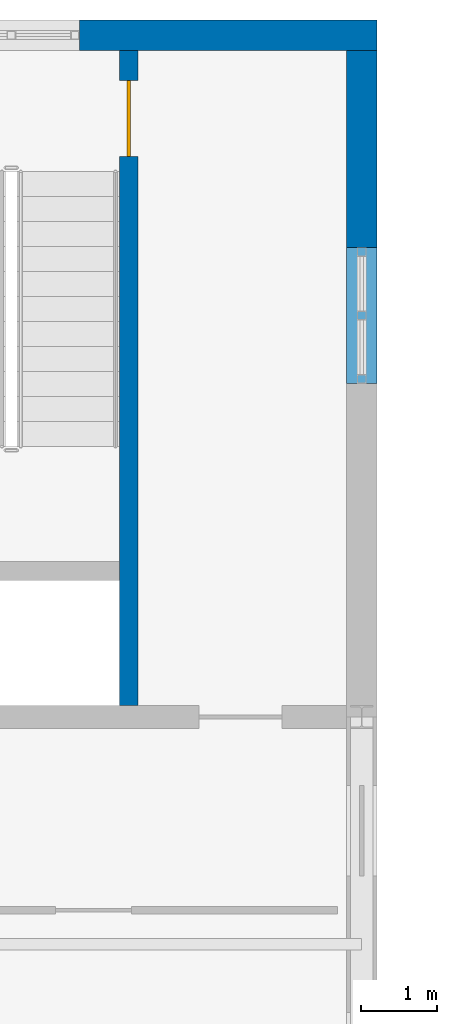
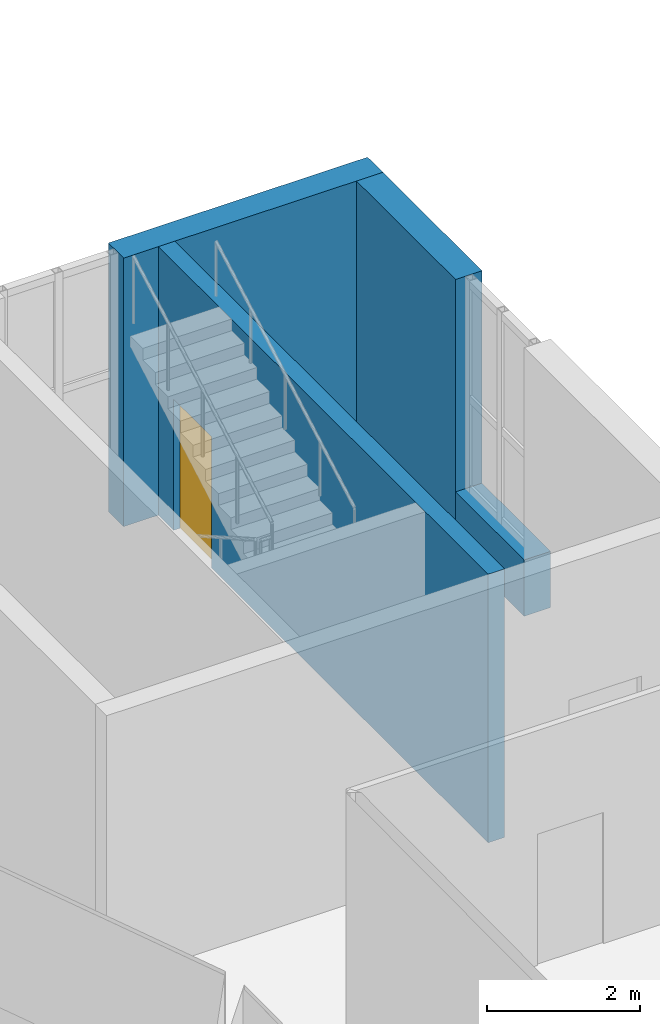
# One storey, part 89 of 131: 4 walls, 1 door, 1 opening.
"""IFC4 building model written with IfcOpenShell, lengths in metres."""

import ifcopenshell
import ifcopenshell.guid

model = None  # the IFC model being written
_history = None  # IfcOwnerHistory: only IFC2X3 demands one
_inside = {}  # id of a spatial element -> (the spatial element, [elements in it])
_under = {}  # id of a project, library or spatial element -> (it, [spatial elements below it])
_declared = {}  # id of a project -> (the project, [libraries it declares])
_typed = {}  # id of a type object -> (the type object, [elements of that type])
_made_of = {}  # id of a material, layer set ... -> (it, [elements and type objects made of it])


def new_model(schema):
    """Start an empty IFC model of exactly this schema.

    Asked for "IFC4X3", IfcOpenShell would pick the latest addendum, in which some entities
    have other attributes; the version numbers below select the first issue.
    IFC2X3 requires an IfcOwnerHistory on every rooted entity: one is made here for all.
    """
    global model, _history
    if schema == "IFC4X3":
        model = ifcopenshell.file(schema_version=(4, 3, 0, 0))
    else:
        model = ifcopenshell.file(schema=schema)
    _inside.clear()
    _under.clear()
    _declared.clear()
    _typed.clear()
    _made_of.clear()
    _history = None
    if model.schema == "IFC2X3":
        org = make("IfcOrganization", Name="unknown")
        user = make(
            "IfcPersonAndOrganization",
            ThePerson=make("IfcPerson", FamilyName="unknown"),
            TheOrganization=org,
        )
        app = make(
            "IfcApplication",
            ApplicationDeveloper=org,
            Version="unknown",
            ApplicationFullName="unknown",
            ApplicationIdentifier="unknown",
        )
        _history = make(
            "IfcOwnerHistory",
            OwningUser=user,
            OwningApplication=app,
            ChangeAction="ADDED",
            CreationDate=0,
        )
    return model


def make(cls, **values):
    """One entity of the class cls with the attributes given. An attribute that is None is left unset."""
    return model.create_entity(
        cls, **{name: value for name, value in values.items() if value is not None}
    )


def rooted(cls, **values):
    """An entity with a GlobalId (a new one), such as an element, a storey or a relation."""
    return make(cls, GlobalId=ifcopenshell.guid.new(), OwnerHistory=_history, **values)


def si_unit(unit_type, name, prefix=None):
    """IfcSIUnit, for example si_unit("LENGTHUNIT", "METRE", prefix="MILLI")."""
    return make("IfcSIUnit", UnitType=unit_type, Prefix=prefix, Name=name)


def assignment(units):
    """IfcUnitAssignment: the units of a project."""
    return None if units is None else make("IfcUnitAssignment", Units=units)


def point(xyz):
    """IfcCartesianPoint."""
    return None if xyz is None else make("IfcCartesianPoint", Coordinates=xyz)


def direction(xyz):
    """IfcDirection."""
    return None if xyz is None else make("IfcDirection", DirectionRatios=xyz)


def frame(location, z_axis=None, x_axis=None):
    """IfcAxis2Placement3D, a coordinate frame: its origin and axes. An axis left out is left unset."""
    return make(
        "IfcAxis2Placement3D",
        Location=point(location),
        Axis=direction(z_axis),
        RefDirection=direction(x_axis),
    )


def frame_2d(location, x_axis=None):
    """IfcAxis2Placement2D, a coordinate frame in the plane: its origin and x axis."""
    return make(
        "IfcAxis2Placement2D", Location=point(location), RefDirection=direction(x_axis)
    )


def origin():
    """The frame at (0, 0, 0) with its axes left unset."""
    return frame((0.0, 0.0, 0.0))


def place(relative_to, where):
    """IfcLocalPlacement: puts the frame where relative to a parent placement (None: the world)."""
    return make(
        "IfcLocalPlacement", PlacementRelTo=relative_to, RelativePlacement=where
    )


def context(
    kind, dimensions, precision=None, world=None, true_north=None, identifier=None
):
    """IfcGeometricRepresentationContext, for example the 3D "Model" context."""
    return make(
        "IfcGeometricRepresentationContext",
        ContextIdentifier=identifier,
        ContextType=kind,
        CoordinateSpaceDimension=dimensions,
        Precision=precision,
        WorldCoordinateSystem=world,
        TrueNorth=true_north,
    )


def subcontext(parent, identifier, kind, view, scale=None):
    """IfcGeometricRepresentationSubContext, for example "Body" below "Model"."""
    return make(
        "IfcGeometricRepresentationSubContext",
        ContextIdentifier=identifier,
        ContextType=kind,
        ParentContext=parent,
        TargetScale=scale,
        TargetView=view,
    )


def project(units=None, contexts=None):
    """IfcProject with its units and contexts."""
    return rooted(
        "IfcProject",
        Name="project",
        RepresentationContexts=contexts,
        UnitsInContext=assignment(units),
    )


def spatial(cls, under=None, at=None, **own):
    """A site, building, storey or space (cls), placed at a placement, below another one or the project."""
    s = rooted(cls, ObjectPlacement=at, **own)
    if under is not None:
        _under.setdefault(under.id(), (under, []))[1].append(s)
    return s


def profile(cls, at=None, kind="AREA", **sizes):
    """A parametric profile (cls). Its sizes go by their IFC names, for example OverallWidth=200.0."""
    return make(cls, ProfileType=kind, Position=at, **sizes)


def rectangle(**sizes):
    """IfcRectangleProfileDef."""
    return profile("IfcRectangleProfileDef", **sizes)


def extrude(swept, where, along, depth):
    """IfcExtrudedAreaSolid: the profile swept, set in the frame where, extruded along a direction by depth."""
    return make(
        "IfcExtrudedAreaSolid",
        SweptArea=swept,
        Position=where,
        ExtrudedDirection=direction(along),
        Depth=depth,
    )


def shape(context_of_items, identifier, shape_type, items):
    """IfcShapeRepresentation: the items that make up one representation, for example the "Body"."""
    return make(
        "IfcShapeRepresentation",
        ContextOfItems=context_of_items,
        RepresentationIdentifier=identifier,
        RepresentationType=shape_type,
        Items=items,
    )


def material(Name=None, Category=None):
    """IfcMaterial."""
    return make("IfcMaterial", Name=Name, Category=Category)


def layer(
    of_material, thickness, ventilated=None, Name=None, Category=None, Priority=None
):
    """IfcMaterialLayer: one layer of a wall or slab, of a material (None: an air gap)."""
    return make(
        "IfcMaterialLayer",
        Material=of_material,
        LayerThickness=thickness,
        IsVentilated=ventilated,
        Name=Name,
        Category=Category,
        Priority=Priority,
    )


def layer_set(layers, Name=None):
    """IfcMaterialLayerSet."""
    return make("IfcMaterialLayerSet", MaterialLayers=layers, LayerSetName=Name)


def made_of(thing, what):
    """Note that an element or type object is made of a material, layer set ...; save() writes the relation."""
    if what is not None:
        _made_of.setdefault(what.id(), (what, []))[1].append(thing)
    return thing


def type_object(cls, material=None, **own):
    """A type object (cls), such as IfcWallType, which elements share."""
    return made_of(rooted(cls, **own), material)


def element(
    cls,
    number,
    at=None,
    inside=None,
    cuts=None,
    type_object=None,
    material=None,
    context=None,
    identifier="Body",
    shape_type=None,
    held_by="IfcProductDefinitionShape",
    body=None,
    shapes=None,
    **own,
):
    """One element of the class cls, such as IfcWall. Its Tag is "e" and its number.

    at: its placement. inside: the storey or other place that contains it. cuts: it is an
    opening in that element (IfcRelVoidsElement). A single representation is given by context,
    identifier, shape_type and body (its items); several are given by shapes. held_by: the class
    of the entity that holds the representations. save() writes the other relations.
    """
    e = rooted(cls, Tag="e%d" % number, ObjectPlacement=at, **own)
    if body is not None:
        shapes = [shape(context, identifier, shape_type, body)]
    if shapes is not None:
        e.Representation = make(held_by, Representations=shapes)
    if inside is not None:
        _inside.setdefault(inside.id(), (inside, []))[1].append(e)
    if cuts is not None:
        rooted(
            "IfcRelVoidsElement", RelatingBuildingElement=cuts, RelatedOpeningElement=e
        )
    if type_object is not None:
        _typed.setdefault(type_object.id(), (type_object, []))[1].append(e)
    return made_of(e, material)


def fill(opening, filler):
    """IfcRelFillsElement: the door or window that sits in an opening."""
    return rooted(
        "IfcRelFillsElement",
        RelatingOpeningElement=opening,
        RelatedBuildingElement=filler,
    )


def aggregate(whole, parts):
    """IfcRelAggregates: a whole, such as a stair, and the parts it consists of."""
    return rooted("IfcRelAggregates", RelatingObject=whole, RelatedObjects=parts)


def save(model, path):
    """Write the relations noted so far, then the file.

    IfcRelAggregates (storeys below a building ...), IfcRelContainedInSpatialStructure (elements
    in a storey), IfcRelDefinesByType, IfcRelAssociatesMaterial and IfcRelDeclares: one each for
    every whole, place, type object, material and project.
    """
    for whole, parts in _under.values():
        aggregate(whole, parts)
    for where, things in _inside.values():
        rooted(
            "IfcRelContainedInSpatialStructure",
            RelatedElements=things,
            RelatingStructure=where,
        )
    for kind, things in _typed.values():
        rooted("IfcRelDefinesByType", RelatedObjects=things, RelatingType=kind)
    for what, things in _made_of.values():
        rooted("IfcRelAssociatesMaterial", RelatedObjects=things, RelatingMaterial=what)
    for by, libraries in _declared.values():
        rooted("IfcRelDeclares", RelatingContext=by, RelatedDefinitions=libraries)
    model.write(path)


model = new_model("IFC4")

# Units and contexts
model_context = context("Model", 3, precision=1e-05, world=origin(), true_north=direction((0.0, 1.0)))
body_context = subcontext(model_context, "Body", "Model", "MODEL_VIEW")
ifc_project = project(units=[si_unit("LENGTHUNIT", "METRE"), si_unit("AREAUNIT", "SQUARE_METRE"), si_unit("VOLUMEUNIT", "CUBIC_METRE"), si_unit("PLANEANGLEUNIT", "RADIAN"), si_unit("MASSUNIT", "GRAM", prefix="KILO")], contexts=[model_context])

# Site, building, storey
site_placement = place(None, origin())
site = spatial("IfcSite", under=ifc_project, at=site_placement, CompositionType="ELEMENT")
building_placement = place(site_placement, origin())
building = spatial("IfcBuilding", under=site, at=building_placement, Name="Golden Quay Civic Hall", CompositionType="ELEMENT")
storey_placement = place(building_placement, frame((0.0, 0.0, 9.89990234375)))
storey = spatial("IfcBuildingStorey", under=building, at=storey_placement, Name="L02", CompositionType="ELEMENT", Elevation=9.89990234375)

# Wall, opening, door
ifc_material_1 = material(Name="Concrete C40/50", Category="concrete")
ifc_layer_1 = layer(ifc_material_1, 0.25)
ifc_layer_set_1 = layer_set([ifc_layer_1], Name="Reinforced concrete shaft wall 250, Concrete C40/50")
wall_type_1 = type_object("IfcWallType", Name="Reinforced concrete shaft wall 250", PredefinedType="SHEAR", material=ifc_layer_set_1)
wall_1_placement = place(storey_placement, frame((104.925048828125, 107.800048828125, 0.0), z_axis=(0.0, 0.0, 1.0), x_axis=(0.0, -1.0, 0.0)))
wall_1 = element("IfcWall", 1, at=wall_1_placement, inside=storey, type_object=wall_type_1, Name="Shaft wall NE 1", PredefinedType="SHEAR", context=body_context, shape_type="SweptSolid", body=[
    extrude(rectangle(XDim=8.650146484375, YDim=0.25, at=frame_2d((4.3251953125, 0.0))), origin(), (0.0, 0.0, 1.0), 4.300048828125),
])
opening_placement = place(wall_1_placement, frame((0.39990234375, 0.0, 0.0)))
opening = element("IfcOpeningElement", 2, at=opening_placement, cuts=wall_1, Name="Opening L02-D174", PredefinedType="OPENING", context=body_context, shape_type="SweptSolid", body=[
    extrude(rectangle(XDim=1.0, YDim=2.10009765625, at=frame_2d((0.5, 1.050048828125))), frame((0.0, 0.135009765625, 0.0), z_axis=(0.0, -1.0, 0.0), x_axis=(1.0, 0.0, 0.0)), (0.0, 0.0, 1.0), 0.27001953125),
])
ifc_material_2 = material(Name="Steel", Category="steel")
door_type = type_object("IfcDoorType", Name="Steel fire door FD60 1100 x 2100", OperationType="SINGLE_SWING_LEFT", PredefinedType="DOOR", material=ifc_material_2)
door_placement = place(opening_placement, frame((1.0, 0.0, 0.0), z_axis=(0.0, 0.0, 1.0), x_axis=(-1.0, 0.0, 0.0)))
door = element("IfcDoor", 3, at=door_placement, inside=storey, type_object=door_type, Name="Stair door NE", OperationType="SINGLE_SWING_RIGHT", OverallHeight=2.10009765625, OverallWidth=1.0, PredefinedType="DOOR", context=body_context, shape_type="SweptSolid", body=[
    extrude(rectangle(XDim=1.0, YDim=2.10009765625, at=frame_2d((0.5, 1.050048828125))), frame((0.0, 0.025146484375, 0.0), z_axis=(0.0, -1.0, 0.0), x_axis=(1.0, 0.0, 0.0)), (0.0, 0.0, 1.0), 0.050048828125),
])
fill(opening, door)

# Walls
ifc_material_3 = material(Name="Brick masonry with render", Category="masonry")
ifc_layer_2 = layer(ifc_material_3, 0.39990234375)
ifc_layer_set_2 = layer_set([ifc_layer_2], Name="Rendered brick external wall 400 fire EI 120")
wall_type_2 = type_object("IfcWallType", Name="Rendered brick external wall 400 fire EI 120", PredefinedType="STANDARD", material=ifc_layer_set_2)
wall_2_placement = place(storey_placement, frame((104.27490234375, 108.0, 0.0), z_axis=(0.0, 0.0, 1.0), x_axis=(1.0, 0.0, 0.0)))
element("IfcWall", 4, at=wall_2_placement, inside=storey, type_object=wall_type_2, Name="Base wall N 99 (beyond the bay)", PredefinedType="STANDARD", context=body_context, shape_type="SweptSolid", body=[
    extrude(rectangle(XDim=3.925048828125, YDim=0.39990234375, at=frame_2d((1.96240234375, 0.0))), origin(), (0.0, 0.0, 1.0), 4.300048828125),
])
wall_3_placement = place(storey_placement, frame((108.0, 105.199951171875, 0.0), z_axis=(0.0, 0.0, 1.0), x_axis=(0.0, 1.0, 0.0)))
element("IfcWall", 5, at=wall_3_placement, inside=storey, type_object=wall_type_2, Name="Base wall E 99 (beyond the bay)", PredefinedType="STANDARD", context=body_context, shape_type="SweptSolid", body=[
    extrude(rectangle(XDim=2.60009765625, YDim=0.39990234375, at=frame_2d((1.300048828125, 0.0))), origin(), (0.0, 0.0, 1.0), 4.300048828125),
])
wall_4_placement = place(storey_placement, frame((108.0, 103.39990234375, 0.0), z_axis=(0.0, 0.0, 1.0), x_axis=(0.0, 1.0, 0.0)))
element("IfcWall", 6, at=wall_4_placement, inside=storey, type_object=wall_type_2, Name="Base wall E 99 sill", PredefinedType="STANDARD", context=body_context, shape_type="SweptSolid", body=[
    extrude(rectangle(XDim=1.800048828125, YDim=0.39990234375, at=frame_2d((0.89990234375, 0.0))), origin(), (0.0, 0.0, 1.0), 0.900146484375),
])

save(model, "model.ifc")
